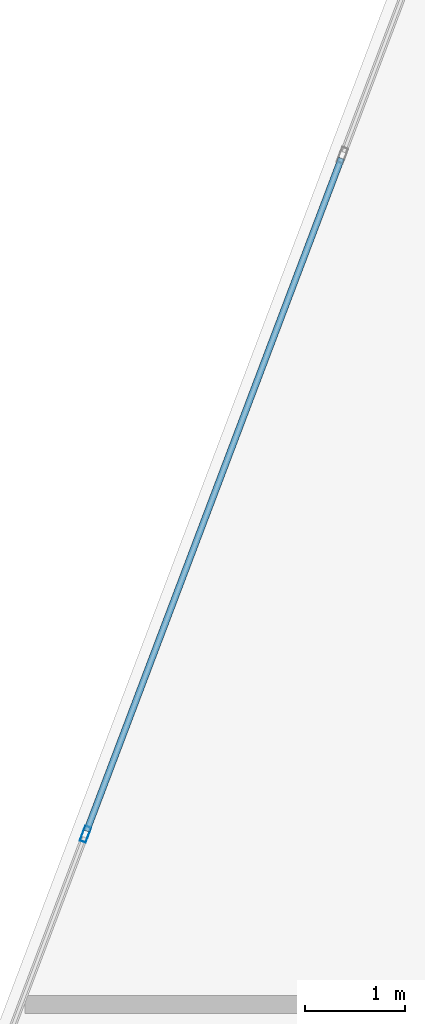
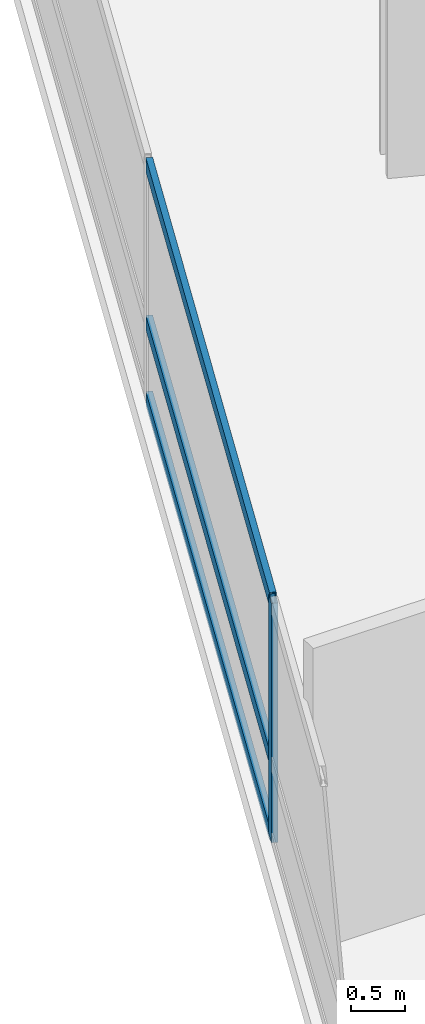
# One storey, part 4 of 24: 4 members, 1 element without a shape of its own.
"""IFC4 building model written with IfcOpenShell, lengths in metres."""

from ifc_helpers import new_model, si_unit, direction, frame, origin, origin_2d, place, context, subcontext, project, spatial, hollow_rectangle, extrude, material, layer, layer_set, material_profile, profile_set, type_object, element, aggregate, save


model = new_model("IFC4")

# Units and contexts
model_context = context("Model", 3, precision=1e-05, world=origin(), true_north=direction((0.0, 1.0)))
body_context = subcontext(model_context, "Body", "Model", "MODEL_VIEW")
ifc_project = project(units=[si_unit("LENGTHUNIT", "METRE"), si_unit("AREAUNIT", "SQUARE_METRE"), si_unit("VOLUMEUNIT", "CUBIC_METRE"), si_unit("PLANEANGLEUNIT", "RADIAN"), si_unit("MASSUNIT", "GRAM", prefix="KILO")], contexts=[model_context])

# Site, building, storey
site_placement = place(None, origin())
site = spatial("IfcSite", under=ifc_project, at=site_placement, CompositionType="ELEMENT")
building_placement = place(site_placement, origin())
building = spatial("IfcBuilding", under=site, at=building_placement, Name="Varnelok Gate Tower", CompositionType="ELEMENT")
storey_placement = place(building_placement, frame((0.0, 0.0, 94.699951171875)))
storey = spatial("IfcBuildingStorey", under=building, at=storey_placement, Name="L23", CompositionType="ELEMENT", Elevation=94.699951171875)

# Curtain wall, members
ifc_material = material(Name="Anodized Aluminum Alloy 6063-T6", Category="aluminium")
ifc_layer = layer(ifc_material, 0.179931640625)
ifc_layer_set = layer_set([ifc_layer], Name="Anodized Aluminum Alloy 6063-T6")
curtain_wall_type = type_object("IfcCurtainWallType", Name="CW3-HOTEL-VISION", PredefinedType="USERDEFINED", material=ifc_layer_set)
curtain_wall_placement = place(storey_placement, origin())
curtain_wall = element("IfcCurtainWall", 1, at=curtain_wall_placement, inside=storey, type_object=curtain_wall_type, Name="L23 West End Vision Curtain Wall", ObjectType="UNITISED CURTAIN WALL", PredefinedType="USERDEFINED")
ifc_material_profile_1 = material_profile(ifc_material, hollow_rectangle(XDim=0.06494140625, YDim=0.159912109375, WallThickness=0.00390625, at=origin_2d()), Name="ALU160X65X4")
ifc_profile_set_1 = profile_set([ifc_material_profile_1], Name="Anodized Aluminum Alloy 6063-T6")
member_type_1 = type_object("IfcMemberType", Name="CW-MULL-160", PredefinedType="MULLION", material=ifc_profile_set_1)
member_1_placement = place(storey_placement, frame((0.508544921875, 28.3359375, 0.0), z_axis=(0.0, 0.0, 1.0), x_axis=(-0.935221323688, 0.354063660545, 0.0)))
member_1 = element("IfcMember", 2, at=member_1_placement, type_object=member_type_1, Name="CW3 mullion 2", PredefinedType="MULLION", context=body_context, shape_type="SweptSolid", body=[
    extrude(hollow_rectangle(XDim=0.06494140625, YDim=0.159912109375, WallThickness=0.00390625, at=origin_2d()), origin(), (0.0, 0.0, 1.0), 2.72998046875),
])
ifc_material_profile_2 = material_profile(ifc_material, hollow_rectangle(XDim=0.06494140625, YDim=0.159912109375, WallThickness=0.00390625, at=origin_2d()), Name="ALU160X65X4")
ifc_profile_set_2 = profile_set([ifc_material_profile_2], Name="Anodized Aluminum Alloy 6063-T6")
member_type_2 = type_object("IfcMemberType", Name="CW-TRAN-160", PredefinedType="USERDEFINED", material=ifc_profile_set_2)
member_2_placement = place(storey_placement, frame((0.52001953125, 28.3662109375, 0.032470703125), z_axis=(0.354078724634, 0.935215620465, 0.0), x_axis=(-0.935215620465, 0.354078724634, 0.0)))
member_2 = element("IfcMember", 3, at=member_2_placement, type_object=member_type_2, Name="CW3 transom 2.1", ObjectType="TRANSOM", PredefinedType="USERDEFINED", context=body_context, shape_type="SweptSolid", body=[
    extrude(hollow_rectangle(XDim=0.06494140625, YDim=0.159912109375, WallThickness=0.00390625, at=origin_2d()), origin(), (0.0, 0.0, 1.0), 7.175048828125),
])
member_3_placement = place(storey_placement, frame((0.52001953125, 28.3662109375, 0.900146484375), z_axis=(0.354078724634, 0.935215620465, 0.0), x_axis=(-0.935215620465, 0.354078724634, 0.0)))
member_3 = element("IfcMember", 4, at=member_3_placement, type_object=member_type_2, Name="CW3 transom 2.2", ObjectType="TRANSOM", PredefinedType="USERDEFINED", context=body_context, shape_type="SweptSolid", body=[
    extrude(hollow_rectangle(XDim=0.06494140625, YDim=0.159912109375, WallThickness=0.00390625, at=origin_2d()), origin(), (0.0, 0.0, 1.0), 7.175048828125),
])
member_4_placement = place(storey_placement, frame((0.52001953125, 28.3662109375, 2.697509765625), z_axis=(0.354078724634, 0.935215620465, 0.0), x_axis=(-0.935215620465, 0.354078724634, 0.0)))
member_4 = element("IfcMember", 5, at=member_4_placement, type_object=member_type_2, Name="CW3 transom 2.3", ObjectType="TRANSOM", PredefinedType="USERDEFINED", context=body_context, shape_type="SweptSolid", body=[
    extrude(hollow_rectangle(XDim=0.06494140625, YDim=0.159912109375, WallThickness=0.00390625, at=origin_2d()), origin(), (0.0, 0.0, 1.0), 7.175048828125),
])
aggregate(curtain_wall, [member_1, member_2, member_3, member_4])

save(model, "model.ifc")
